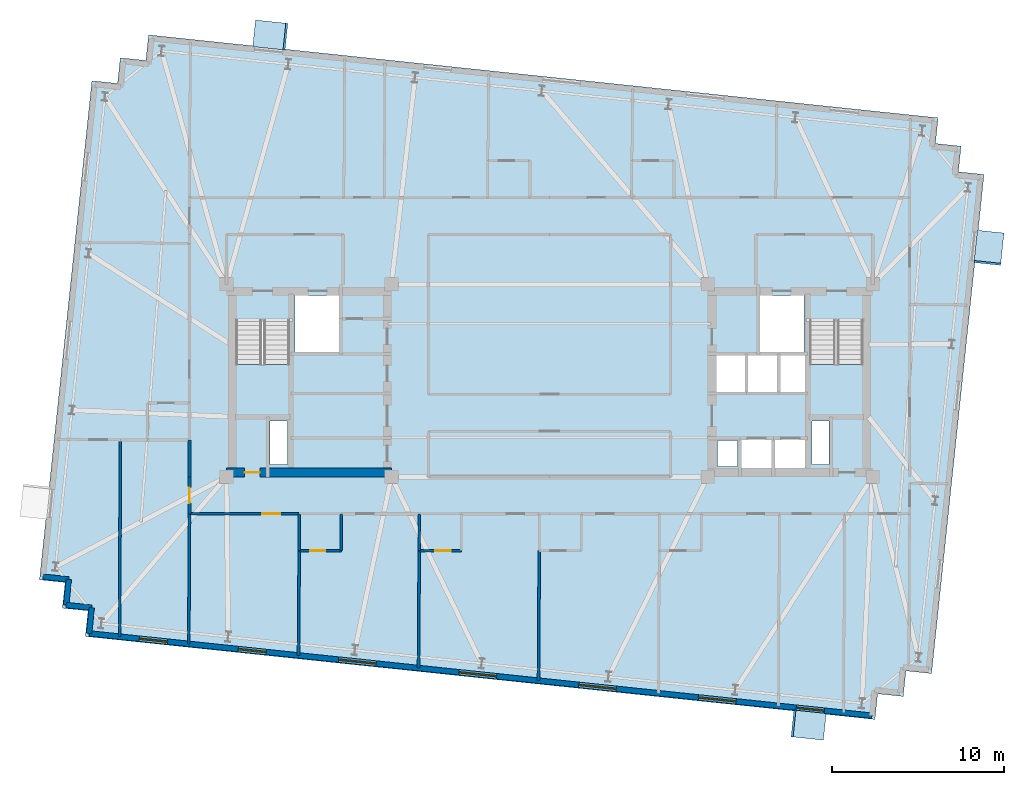
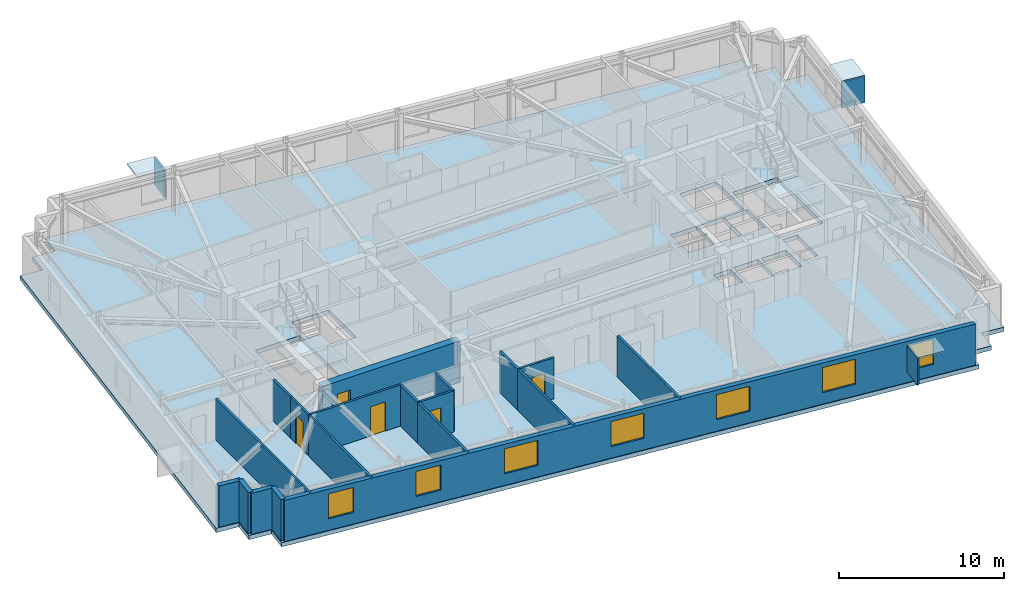
# One storey, part 5 of 11: 19 walls, 7 windows, 6 plates, 5 doors, 3 slabs, 12 openings, 2 elements without a shape of their own.
"""IFC4 building model written with IfcOpenShell, lengths in metres."""

from ifc_helpers import new_model, si_unit, direction, frame, frame_2d, origin, origin_2d, place, context, subcontext, project, spatial, polyline, rectangle, outline, extrude, material, layer, layer_set, type_object, element, fill, aggregate, save


model = new_model("IFC4")

# Units and contexts
model_context = context("Model", 3, precision=1e-05, world=origin(), true_north=direction((0.0, 1.0)))
body_context = subcontext(model_context, "Body", "Model", "MODEL_VIEW")
ifc_project = project(units=[si_unit("LENGTHUNIT", "METRE"), si_unit("AREAUNIT", "SQUARE_METRE"), si_unit("VOLUMEUNIT", "CUBIC_METRE"), si_unit("PLANEANGLEUNIT", "RADIAN"), si_unit("MASSUNIT", "GRAM", prefix="KILO")], contexts=[model_context])

# Site, building, storey
site_placement = place(None, origin())
site = spatial("IfcSite", under=ifc_project, at=site_placement, CompositionType="ELEMENT")
building_placement = place(site_placement, origin())
building = spatial("IfcBuilding", under=site, at=building_placement, Name="Qobustan Lattice House", CompositionType="ELEMENT")
storey_placement = place(building_placement, frame((0.0, 0.0, 209.800048828125)))
storey = spatial("IfcBuildingStorey", under=building, at=storey_placement, Name="L59", CompositionType="ELEMENT", Elevation=209.800048828125)

# Plates
ifc_material_1 = material(Name="Qobustan limestone GFRC", Category="masonry")
ifc_layer_1 = layer(ifc_material_1, 0.1201171875)
ifc_layer_set_1 = layer_set([ifc_layer_1], Name="Qobustan limestone GFRC")
plate_type = type_object("IfcPlateType", Name="SHD-HOOD-BROW", PredefinedType="USERDEFINED", material=ifc_layer_set_1)
plate_1_placement = place(storey_placement, frame((-16.25, 20.107666015625, 2.699951171875), z_axis=(0.0, 0.0, 1.0), x_axis=(0.994521895368, -0.104528463268, 0.0)))
element("IfcPlate", 1, at=plate_1_placement, inside=storey, type_object=plate_type, Name="L59 splayed Qobustan stone hood brow", ObjectType="SUNSHADE", PredefinedType="USERDEFINED", context=body_context, shape_type="SweptSolid", body=[
    extrude(rectangle(XDim=1.889892578125, YDim=1.56005859375, at=origin_2d()), origin(), (0.0, 0.0, 1.0), 0.1201171875),
])
plate_2_placement = place(storey_placement, frame((-15.369873046875, 20.01513671875, 0.7900390625), z_axis=(0.0, 0.0, 1.0), x_axis=(0.994521895368, -0.104528463268, 0.0)))
element("IfcPlate", 2, at=plate_2_placement, inside=storey, type_object=plate_type, Name="L59 splayed Qobustan stone hood cheek", ObjectType="SUNSHADE", PredefinedType="USERDEFINED", context=body_context, shape_type="SweptSolid", body=[
    extrude(rectangle(XDim=0.1201171875, YDim=1.56005859375, at=origin_2d()), origin(), (0.0, 0.0, 1.0), 1.969970703125),
])
plate_3_placement = place(storey_placement, frame((25.56884765625, 7.7275390625, 2.699951171875), z_axis=(0.0, 0.0, 1.0), x_axis=(-0.104528463268, -0.994521895368, 0.0)))
element("IfcPlate", 3, at=plate_3_placement, inside=storey, type_object=plate_type, Name="L59 splayed Qobustan stone hood brow", ObjectType="SUNSHADE", PredefinedType="USERDEFINED", context=body_context, shape_type="SweptSolid", body=[
    extrude(rectangle(XDim=1.889892578125, YDim=1.56005859375, at=origin_2d()), origin(), (0.0, 0.0, 1.0), 0.1201171875),
])
plate_4_placement = place(storey_placement, frame((25.476318359375, 6.847412109375, 0.7900390625), z_axis=(0.0, 0.0, 1.0), x_axis=(-0.104528463268, -0.994521895368, 0.0)))
element("IfcPlate", 4, at=plate_4_placement, inside=storey, type_object=plate_type, Name="L59 splayed Qobustan stone hood cheek", ObjectType="SUNSHADE", PredefinedType="USERDEFINED", context=body_context, shape_type="SweptSolid", body=[
    extrude(rectangle(XDim=0.1201171875, YDim=1.56005859375, at=origin_2d()), origin(), (0.0, 0.0, 1.0), 1.969970703125),
])
plate_5_placement = place(storey_placement, frame((15.0751953125, -20.046630859375, 2.699951171875), z_axis=(0.0, 0.0, 1.0), x_axis=(-0.994521895368, 0.104528463268, 0.0)))
element("IfcPlate", 5, at=plate_5_placement, inside=storey, type_object=plate_type, Name="L59 splayed Qobustan stone hood brow", ObjectType="SUNSHADE", PredefinedType="USERDEFINED", context=body_context, shape_type="SweptSolid", body=[
    extrude(rectangle(XDim=1.889892578125, YDim=1.56005859375, at=origin_2d()), origin(), (0.0, 0.0, 1.0), 0.1201171875),
])
plate_6_placement = place(storey_placement, frame((14.195068359375, -19.9541015625, 0.7900390625), z_axis=(0.0, 0.0, 1.0), x_axis=(-0.994521895368, 0.104528463268, 0.0)))
element("IfcPlate", 6, at=plate_6_placement, inside=storey, type_object=plate_type, Name="L59 splayed Qobustan stone hood cheek", ObjectType="SUNSHADE", PredefinedType="USERDEFINED", context=body_context, shape_type="SweptSolid", body=[
    extrude(rectangle(XDim=0.1201171875, YDim=1.56005859375, at=origin_2d()), origin(), (0.0, 0.0, 1.0), 1.969970703125),
])

# Slab
ifc_material_2 = material(Name="Concrete C40/50", Category="concrete")
ifc_layer_2 = layer(ifc_material_2, 0.31005859375)
ifc_layer_set_2 = layer_set([ifc_layer_2], Name="Concrete C40/50")
slab_type_1 = type_object("IfcSlabType", Name="SLB-FLR-310", PredefinedType="FLOOR", material=ifc_layer_set_2)
slab_1_placement = place(storey_placement, frame((0.0, 0.0, -0.31005859375)))
element("IfcSlab", 7, at=slab_1_placement, inside=storey, type_object=slab_type_1, Name="L59 structural floor slab", PredefinedType="FLOOR", context=body_context, shape_type="SweptSolid", body=[
    extrude(outline(polyline([(-27.01318359375, -14.888916015625), (18.933837890625, -19.71826171875), (19.090576171875, -18.226318359375), (20.582275390625, -18.38330078125), (20.739013671875, -16.891357421875), (22.23095703125, -17.048095703125), (25.283203125, 11.99169921875), (23.79150390625, 12.148681640625), (23.947998046875, 13.640380859375), (22.456298828125, 13.797119140625), (22.61328125, 15.2890625), (-23.333740234375, 20.1181640625), (-23.490478515625, 18.62646484375), (-24.982421875, 18.783203125), (-25.13916015625, 17.29150390625), (-26.630859375, 17.4482421875), (-29.68310546875, -11.591796875), (-28.19140625, -11.74853515625), (-28.34814453125, -13.240478515625), (-26.8564453125, -13.397216796875), (-27.01318359375, -14.888916015625)]), holes=[polyline([(-18.25, -2.050048828125), (-18.25, 3.489990234375), (-15.1298828125, 3.489990234375), (-15.1298828125, -2.050048828125), (-18.25, -2.050048828125)]), polyline([(15.1298828125, -2.050048828125), (15.1298828125, 3.489990234375), (18.25, 3.489990234375), (18.25, -2.050048828125), (15.1298828125, -2.050048828125)]), polyline([(-14.820068359375, 1.64990234375), (-14.820068359375, 4.9599609375), (-12.25, 4.9599609375), (-12.25, 1.64990234375), (-14.820068359375, 1.64990234375)]), polyline([(12.25, 1.64990234375), (12.25, 4.9599609375), (14.820068359375, 4.9599609375), (14.820068359375, 1.64990234375), (12.25, 1.64990234375)]), polyline([(-16.260009765625, -4.8798828125), (-16.260009765625, -2.360107421875), (-15.260009765625, -2.360107421875), (-15.260009765625, -4.8798828125), (-16.260009765625, -4.8798828125)]), polyline([(15.260009765625, -4.8798828125), (15.260009765625, -2.360107421875), (16.260009765625, -2.360107421875), (16.260009765625, -4.8798828125), (15.260009765625, -4.8798828125)]), polyline([(11.179931640625, -5.35009765625), (11.179931640625, -3.419921875), (12.919921875, -3.419921875), (12.919921875, -5.35009765625), (11.179931640625, -5.35009765625)]), polyline([(13.1201171875, -5.35009765625), (13.1201171875, -3.419921875), (14.85009765625, -3.419921875), (14.85009765625, -5.35009765625), (13.1201171875, -5.35009765625)]), polyline([(9.760009765625, -5.0), (9.760009765625, -3.47998046875), (10.93994140625, -3.47998046875), (10.93994140625, -5.0), (9.760009765625, -5.0)]), polyline([(13.360107421875, -0.679931640625), (13.360107421875, 1.47998046875), (14.97998046875, 1.47998046875), (14.97998046875, -0.679931640625), (13.360107421875, -0.679931640625)]), polyline([(9.6201171875, -0.679931640625), (9.6201171875, 1.47998046875), (11.43994140625, 1.47998046875), (11.43994140625, -0.679931640625), (9.6201171875, -0.679931640625)]), polyline([(11.5, -0.679931640625), (11.5, 1.47998046875), (13.320068359375, 1.47998046875), (13.320068359375, -0.679931640625), (11.5, -0.679931640625)])]), origin(), (0.0, 0.0, 1.0), 0.31005859375),
])

# Stair, slab
ifc_material_3 = material(Name="Concrete C40/50", Category="concrete")
stair_type = type_object("IfcStairType", Name="STR-CORE-DOGLEG", PredefinedType="HALF_TURN_STAIR", material=ifc_material_3)
stair_1_placement = place(storey_placement, origin())
stair_1 = element("IfcStair", 8, at=stair_1_placement, inside=storey, type_object=stair_type, Name="L59 West protected exit stair ST-W1", PredefinedType="HALF_TURN_STAIR")
ifc_material_4 = material(Name="Concrete C40/50", Category="concrete")
ifc_layer_3 = layer(ifc_material_4, 0.199951171875)
ifc_layer_set_3 = layer_set([ifc_layer_3], Name="Concrete C40/50")
slab_type_2 = type_object("IfcSlabType", Name="SLB-LANDING-200", PredefinedType="LANDING", material=ifc_layer_set_3)
slab_2_placement = place(storey_placement, frame((0.0, 0.0, 1.474853515625)))
slab_2 = element("IfcSlab", 9, at=slab_2_placement, type_object=slab_type_2, Name="ST-W1 landing 1", PredefinedType="LANDING", context=body_context, shape_type="SweptSolid", body=[
    extrude(outline(polyline([(-18.25, 0.93505859375), (-18.25, -2.050048828125), (-15.1298828125, -2.050048828125), (-15.1298828125, 0.93505859375), (-18.25, 0.93505859375)])), origin(), (0.0, 0.0, 1.0), 0.2001953125),
])
aggregate(stair_1, [slab_2])

stair_2_placement = place(storey_placement, origin())
stair_2 = element("IfcStair", 10, at=stair_2_placement, inside=storey, type_object=stair_type, Name="L59 East protected exit stair ST-E1", PredefinedType="HALF_TURN_STAIR")
slab_3_placement = place(storey_placement, frame((0.0, 0.0, 1.474853515625)))
slab_3 = element("IfcSlab", 11, at=slab_3_placement, type_object=slab_type_2, Name="ST-E1 landing 1", PredefinedType="LANDING", context=body_context, shape_type="SweptSolid", body=[
    extrude(outline(polyline([(15.1298828125, 0.93505859375), (15.1298828125, -2.050048828125), (18.25, -2.050048828125), (18.25, 0.93505859375), (15.1298828125, 0.93505859375)])), origin(), (0.0, 0.0, 1.0), 0.2001953125),
])
aggregate(stair_2, [slab_3])

# Wall, opening, door
ifc_material_5 = material(Name="Concrete C50/60", Category="concrete")
ifc_layer_4 = layer(ifc_material_5, 0.5)
ifc_layer_set_4 = layer_set([ifc_layer_4], Name="Concrete C50/60")
wall_type_1 = type_object("IfcWallType", Name="WAL-CORE-500", PredefinedType="SHEAR", material=ifc_layer_set_4)
wall_1_placement = place(storey_placement, frame((-18.800048828125, -5.35009765625, 0.0), z_axis=(0.0, 0.0, 1.0), x_axis=(1.0, 0.0, 0.0)))
wall_1 = element("IfcWall", 12, at=wall_1_placement, inside=storey, type_object=wall_type_1, Name="L59 split-core shear wall CW-S", PredefinedType="SHEAR", context=body_context, shape_type="SweptSolid", body=[
    extrude(rectangle(XDim=9.60009765625, YDim=0.5, at=frame_2d((4.800048828125, 0.0))), origin(), (0.0, 0.0, 1.0), 3.0400390625),
])
opening_1_placement = place(wall_1_placement, frame((1.050048828125, 0.0, 0.0)))
opening_1 = element("IfcOpeningElement", 13, at=opening_1_placement, cuts=wall_1, Name="Opening RD-01", PredefinedType="OPENING", context=body_context, shape_type="SweptSolid", body=[
    extrude(rectangle(XDim=0.89990234375, YDim=2.10009765625, at=frame_2d((0.449951171875, 1.050048828125))), frame((0.0, 0.260009765625, 0.0), z_axis=(0.0, -1.0, 0.0), x_axis=(1.0, 0.0, 0.0)), (0.0, 0.0, 1.0), 0.52001953125),
])
ifc_material_6 = material(Name="Persian walnut timber and steel frame door", Category="steel")
door_type_1 = type_object("IfcDoorType", Name="DOR-RISER-FD-900x2100", OperationType="NOTDEFINED", PredefinedType="DOOR", material=ifc_material_6)
door_1_placement = place(opening_1_placement, origin())
door_1 = element("IfcDoor", 14, at=door_1_placement, inside=storey, type_object=door_type_1, Name="L59 core service riser access door W", OperationType="SINGLE_SWING_RIGHT", OverallHeight=2.10009765625, OverallWidth=0.89990234375, PredefinedType="DOOR", context=body_context, shape_type="SweptSolid", body=[
    extrude(rectangle(XDim=0.89990234375, YDim=2.10009765625, at=frame_2d((0.449951171875, 1.050048828125))), frame((0.0, 0.02490234375, 0.0), z_axis=(0.0, -1.0, 0.0), x_axis=(1.0, 0.0, 0.0)), (0.0, 0.0, 1.0), 0.050048828125),
])
fill(opening_1, door_1)

# Walls
ifc_material_7 = material(Name="Precast concrete C40/50", Category="concrete")
ifc_layer_5 = layer(ifc_material_7, 0.320068359375)
ifc_layer_set_5 = layer_set([ifc_layer_5], Name="Precast concrete C40/50")
wall_type_2 = type_object("IfcWallType", Name="WAL-EXT-STONE-320", PredefinedType="SOLIDWALL", material=ifc_layer_set_5)
for number, where, z_axis, x_axis, name in (
    (15, (-26.79345703125, -14.7109375, 0.0), (0.0, 0.0, 1.0), (0.104498377516, 0.994525057048, 0.0), "L59 exterior limestone-clad wall 1"),
    (16, (-26.63671875, -13.21923828125, 0.0), (0.0, 0.0, 1.0), (-0.994525057048, 0.104498377516, 0.0), "L59 exterior limestone-clad wall 2"),
):
    element("IfcWall", number, at=place(storey_placement, frame(where, z_axis=z_axis, x_axis=x_axis)), inside=storey, type_object=wall_type_2, Name=name, PredefinedType="SOLIDWALL", context=body_context, shape_type="SweptSolid", body=[
        extrude(rectangle(XDim=1.5, YDim=0.320068359375, at=frame_2d((0.75, 0.0))), origin(), (0.0, 0.0, 1.0), 3.0400390625),
    ])
wall_2_placement = place(storey_placement, frame((-28.12841796875, -13.0625, 0.0), z_axis=(0.0, 0.0, 1.0), x_axis=(0.104481464157, 0.994526834051, 0.0)))
element("IfcWall", 17, at=wall_2_placement, inside=storey, type_object=wall_type_2, Name="L59 exterior limestone-clad wall 3", PredefinedType="SOLIDWALL", context=body_context, shape_type="SweptSolid", body=[
    extrude(rectangle(XDim=1.500244140625, YDim=0.320068359375, at=frame_2d((0.75, 0.0))), origin(), (0.0, 0.0, 1.0), 3.0400390625),
])
wall_3_placement = place(storey_placement, frame((-27.9716796875, -11.570556640625, 0.0), z_axis=(0.0, 0.0, 1.0), x_axis=(-0.994525057048, 0.104498377516, 0.0)))
element("IfcWall", 18, at=wall_3_placement, inside=storey, type_object=wall_type_2, Name="L59 exterior limestone-clad wall 4", PredefinedType="SOLIDWALL", context=body_context, shape_type="SweptSolid", body=[
    extrude(rectangle(XDim=1.5, YDim=0.320068359375, at=frame_2d((0.75, 0.0))), origin(), (0.0, 0.0, 1.0), 3.0400390625),
])

# Wall, openings, windows
wall_4_placement = place(storey_placement, frame((18.755859375, -19.498291015625, 0.0), z_axis=(0.0, 0.0, 1.0), x_axis=(-0.994522060044, 0.104526896475, 0.0)))
wall_4 = element("IfcWall", 19, at=wall_4_placement, inside=storey, type_object=wall_type_2, Name="L59 exterior limestone-clad wall 20", PredefinedType="SOLIDWALL", context=body_context, shape_type="SweptSolid", body=[
    extrude(rectangle(XDim=45.80029296875, YDim=0.320068359375, at=frame_2d((22.900146484375, 0.0))), origin(), (0.0, 0.0, 1.0), 3.0400390625),
])
opening_2_placement = place(wall_4_placement, frame((2.7783203125, 0.0, 0.85009765625)))
opening_2 = element("IfcOpeningElement", 20, at=opening_2_placement, cuts=wall_4, Name="Opening WN-09", PredefinedType="OPENING", context=body_context, shape_type="SweptSolid", body=[
    extrude(rectangle(XDim=1.64990234375, YDim=1.85009765625, at=frame_2d((0.824951171875, 0.925048828125))), frame((0.0, 0.169921875, 0.0), z_axis=(0.0, -1.0, 0.0), x_axis=(1.0, 0.0, 0.0)), (0.0, 0.0, 1.0), 0.340087890625),
])
opening_3_placement = place(wall_4_placement, frame((7.947998046875, 0.0, 0.85009765625)))
opening_3 = element("IfcOpeningElement", 21, at=opening_3_placement, cuts=wall_4, Name="Opening WN-03", PredefinedType="OPENING", context=body_context, shape_type="SweptSolid", body=[
    extrude(rectangle(XDim=2.199951171875, YDim=1.85009765625, at=frame_2d((1.10009765625, 0.925048828125))), frame((0.0, 0.169921875, 0.0), z_axis=(0.0, -1.0, 0.0), x_axis=(1.0, 0.0, 0.0)), (0.0, 0.0, 1.0), 0.340087890625),
])
opening_4_placement = place(wall_4_placement, frame((14.9541015625, 0.0, 0.85009765625)))
opening_4 = element("IfcOpeningElement", 22, at=opening_4_placement, cuts=wall_4, Name="Opening WN-03", PredefinedType="OPENING", context=body_context, shape_type="SweptSolid", body=[
    extrude(rectangle(XDim=2.199951171875, YDim=1.85009765625, at=frame_2d((1.10009765625, 0.925048828125))), frame((0.0, 0.169921875, 0.0), z_axis=(0.0, -1.0, 0.0), x_axis=(1.0, 0.0, 0.0)), (0.0, 0.0, 1.0), 0.340087890625),
])
opening_5_placement = place(wall_4_placement, frame((21.960205078125, 0.0, 0.85009765625)))
opening_5 = element("IfcOpeningElement", 23, at=opening_5_placement, cuts=wall_4, Name="Opening WN-03", PredefinedType="OPENING", context=body_context, shape_type="SweptSolid", body=[
    extrude(rectangle(XDim=2.199951171875, YDim=1.85009765625, at=frame_2d((1.10009765625, 0.925048828125))), frame((0.0, 0.169921875, 0.0), z_axis=(0.0, -1.0, 0.0), x_axis=(1.0, 0.0, 0.0)), (0.0, 0.0, 1.0), 0.340087890625),
])
opening_6_placement = place(wall_4_placement, frame((29.00634765625, 0.0, 0.85009765625)))
opening_6 = element("IfcOpeningElement", 24, at=opening_6_placement, cuts=wall_4, Name="Opening WN-03", PredefinedType="OPENING", context=body_context, shape_type="SweptSolid", body=[
    extrude(rectangle(XDim=2.199951171875, YDim=1.85009765625, at=frame_2d((1.10009765625, 0.925048828125))), frame((0.0, 0.169921875, 0.0), z_axis=(0.0, -1.0, 0.0), x_axis=(1.0, 0.0, 0.0)), (0.0, 0.0, 1.0), 0.340087890625),
])
opening_7_placement = place(wall_4_placement, frame((35.428955078125, 0.0, 0.85009765625)))
opening_7 = element("IfcOpeningElement", 25, at=opening_7_placement, cuts=wall_4, Name="Opening WN-09", PredefinedType="OPENING", context=body_context, shape_type="SweptSolid", body=[
    extrude(rectangle(XDim=1.64990234375, YDim=1.85009765625, at=frame_2d((0.824951171875, 0.925048828125))), frame((0.0, 0.169921875, 0.0), z_axis=(0.0, -1.0, 0.0), x_axis=(1.0, 0.0, 0.0)), (0.0, 0.0, 1.0), 0.340087890625),
])
opening_8_placement = place(wall_4_placement, frame((41.2119140625, 0.0, 0.85009765625)))
opening_8 = element("IfcOpeningElement", 26, at=opening_8_placement, cuts=wall_4, Name="Opening WN-09", PredefinedType="OPENING", context=body_context, shape_type="SweptSolid", body=[
    extrude(rectangle(XDim=1.64990234375, YDim=1.85009765625, at=frame_2d((0.824951171875, 0.925048828125))), frame((0.0, 0.169921875, 0.0), z_axis=(0.0, -1.0, 0.0), x_axis=(1.0, 0.0, 0.0)), (0.0, 0.0, 1.0), 0.340087890625),
])
ifc_material_8 = material(Name="Double-glazed low-E aluminium window", Category="aluminium")
window_type_1 = type_object("IfcWindowType", Name="WIN-STU-1650x1850", PartitioningType="SINGLE_PANEL", PredefinedType="WINDOW", material=ifc_material_8)
window_1_placement = place(opening_2_placement, origin())
window_1 = element("IfcWindow", 27, at=window_1_placement, inside=storey, type_object=window_type_1, Name="L59 Group study room window", OverallHeight=1.85009765625, OverallWidth=1.64990234375, PartitioningType="SINGLE_PANEL", PredefinedType="WINDOW", context=body_context, shape_type="SweptSolid", body=[
    extrude(rectangle(XDim=1.64990234375, YDim=1.85009765625, at=frame_2d((0.824951171875, 0.925048828125))), frame((0.0, 0.030029296875, 0.0), z_axis=(0.0, -1.0, 0.0), x_axis=(1.0, 0.0, 0.0)), (0.0, 0.0, 1.0), 0.06005859375),
])
fill(opening_2, window_1)
window_2_placement = place(opening_7_placement, origin())
window_2 = element("IfcWindow", 28, at=window_2_placement, inside=storey, type_object=window_type_1, Name="L59 Focus study room S1 window", OverallHeight=1.85009765625, OverallWidth=1.64990234375, PartitioningType="SINGLE_PANEL", PredefinedType="WINDOW", context=body_context, shape_type="SweptSolid", body=[
    extrude(rectangle(XDim=1.64990234375, YDim=1.85009765625, at=frame_2d((0.824951171875, 0.925048828125))), frame((0.0, 0.030029296875, 0.0), z_axis=(0.0, -1.0, 0.0), x_axis=(1.0, 0.0, 0.0)), (0.0, 0.0, 1.0), 0.06005859375),
])
fill(opening_7, window_2)
window_3_placement = place(opening_8_placement, origin())
window_3 = element("IfcWindow", 29, at=window_3_placement, inside=storey, type_object=window_type_1, Name="L59 Focus study room W1B window", OverallHeight=1.85009765625, OverallWidth=1.64990234375, PartitioningType="SINGLE_PANEL", PredefinedType="WINDOW", context=body_context, shape_type="SweptSolid", body=[
    extrude(rectangle(XDim=1.64990234375, YDim=1.85009765625, at=frame_2d((0.824951171875, 0.925048828125))), frame((0.0, 0.030029296875, 0.0), z_axis=(0.0, -1.0, 0.0), x_axis=(1.0, 0.0, 0.0)), (0.0, 0.0, 1.0), 0.06005859375),
])
fill(opening_8, window_3)
ifc_material_9 = material(Name="Double-glazed low-E aluminium window", Category="aluminium")
window_type_2 = type_object("IfcWindowType", Name="WIN-WIDE-2200x1850", PartitioningType="SINGLE_PANEL", PredefinedType="WINDOW", material=ifc_material_9)
window_4_placement = place(opening_3_placement, origin())
window_4 = element("IfcWindow", 30, at=window_4_placement, inside=storey, type_object=window_type_2, Name="L59 Kitchenette and studio apartment L59-S5 window", OverallHeight=1.85009765625, OverallWidth=2.199951171875, PartitioningType="SINGLE_PANEL", PredefinedType="WINDOW", context=body_context, shape_type="SweptSolid", body=[
    extrude(rectangle(XDim=2.199951171875, YDim=1.85009765625, at=frame_2d((1.10009765625, 0.925048828125))), frame((0.0, 0.030029296875, 0.0), z_axis=(0.0, -1.0, 0.0), x_axis=(1.0, 0.0, 0.0)), (0.0, 0.0, 1.0), 0.06005859375),
])
fill(opening_3, window_4)
window_5_placement = place(opening_4_placement, origin())
window_5 = element("IfcWindow", 31, at=window_5_placement, inside=storey, type_object=window_type_2, Name="L59 Kitchenette and studio apartment L59-S4 window", OverallHeight=1.85009765625, OverallWidth=2.199951171875, PartitioningType="SINGLE_PANEL", PredefinedType="WINDOW", context=body_context, shape_type="SweptSolid", body=[
    extrude(rectangle(XDim=2.199951171875, YDim=1.85009765625, at=frame_2d((1.10009765625, 0.925048828125))), frame((0.0, 0.030029296875, 0.0), z_axis=(0.0, -1.0, 0.0), x_axis=(1.0, 0.0, 0.0)), (0.0, 0.0, 1.0), 0.06005859375),
])
fill(opening_4, window_5)
window_6_placement = place(opening_5_placement, origin())
window_6 = element("IfcWindow", 32, at=window_6_placement, inside=storey, type_object=window_type_2, Name="L59 Kitchenette and studio apartment L59-S3 window", OverallHeight=1.85009765625, OverallWidth=2.199951171875, PartitioningType="SINGLE_PANEL", PredefinedType="WINDOW", context=body_context, shape_type="SweptSolid", body=[
    extrude(rectangle(XDim=2.199951171875, YDim=1.85009765625, at=frame_2d((1.10009765625, 0.925048828125))), frame((0.0, 0.030029296875, 0.0), z_axis=(0.0, -1.0, 0.0), x_axis=(1.0, 0.0, 0.0)), (0.0, 0.0, 1.0), 0.06005859375),
])
fill(opening_5, window_6)
window_7_placement = place(opening_6_placement, origin())
window_7 = element("IfcWindow", 33, at=window_7_placement, inside=storey, type_object=window_type_2, Name="L59 Kitchenette and studio apartment L59-S2 window", OverallHeight=1.85009765625, OverallWidth=2.199951171875, PartitioningType="SINGLE_PANEL", PredefinedType="WINDOW", context=body_context, shape_type="SweptSolid", body=[
    extrude(rectangle(XDim=2.199951171875, YDim=1.85009765625, at=frame_2d((1.10009765625, 0.925048828125))), frame((0.0, 0.030029296875, 0.0), z_axis=(0.0, -1.0, 0.0), x_axis=(1.0, 0.0, 0.0)), (0.0, 0.0, 1.0), 0.06005859375),
])
fill(opening_6, window_7)

# Wall, opening, door
ifc_material_10 = material(Name="Acoustic twin-stud gypsum partition", Category="gypsum")
ifc_layer_6 = layer(ifc_material_10, 0.14990234375)
ifc_layer_set_6 = layer_set([ifc_layer_6], Name="Acoustic twin-stud gypsum partition")
wall_type_3 = type_object("IfcWallType", Name="WAL-PART-150", PredefinedType="PARTITIONING", material=ifc_layer_set_6)
wall_5_placement = place(storey_placement, frame((-20.949951171875, -7.75, 0.0), z_axis=(0.0, 0.0, 1.0), x_axis=(0.0, 1.0, 0.0)))
wall_5 = element("IfcWall", 34, at=wall_5_placement, inside=storey, type_object=wall_type_3, Name="L59 interior partition 45", PredefinedType="PARTITIONING", context=body_context, shape_type="SweptSolid", body=[
    extrude(rectangle(XDim=2.14990234375, YDim=0.14990234375, at=frame_2d((1.074951171875, 0.0))), origin(), (0.0, 0.0, 1.0), 3.0400390625),
])
opening_9_placement = place(wall_5_placement, frame((0.625, 0.0, 0.0)))
opening_9 = element("IfcOpeningElement", 35, at=opening_9_placement, cuts=wall_5, Name="Opening WD-01", PredefinedType="OPENING", context=body_context, shape_type="SweptSolid", body=[
    extrude(rectangle(XDim=0.89990234375, YDim=2.10009765625, at=frame_2d((0.449951171875, 1.050048828125))), frame((0.0, 0.0849609375, 0.0), z_axis=(0.0, -1.0, 0.0), x_axis=(1.0, 0.0, 0.0)), (0.0, 0.0, 1.0), 0.169921875),
])
ifc_material_11 = material(Name="Persian walnut timber and steel frame door", Category="steel")
door_type_2 = type_object("IfcDoorType", Name="DOR-WET-900x2100", OperationType="NOTDEFINED", PredefinedType="DOOR", material=ifc_material_11)
door_2_placement = place(opening_9_placement, origin())
door_2 = element("IfcDoor", 36, at=door_2_placement, inside=storey, type_object=door_type_2, Name="L59 South-west floor corridor to Focus study room W1B door", OperationType="SINGLE_SWING_RIGHT", OverallHeight=2.10009765625, OverallWidth=0.89990234375, PredefinedType="DOOR", context=body_context, shape_type="SweptSolid", body=[
    extrude(rectangle(XDim=0.89990234375, YDim=2.10009765625, at=frame_2d((0.449951171875, 1.050048828125))), frame((0.0, 0.02490234375, 0.0), z_axis=(0.0, -1.0, 0.0), x_axis=(1.0, 0.0, 0.0)), (0.0, 0.0, 1.0), 0.050048828125),
])
fill(opening_9, door_2)

wall_6_placement = place(storey_placement, frame((-14.56689453125, -7.75, 0.0), z_axis=(0.0, 0.0, 1.0), x_axis=(-1.0, 0.0, 0.0)))
wall_6 = element("IfcWall", 37, at=wall_6_placement, inside=storey, type_object=wall_type_3, Name="L59 interior partition 46", PredefinedType="PARTITIONING", context=body_context, shape_type="SweptSolid", body=[
    extrude(rectangle(XDim=6.383056640625, YDim=0.14990234375, at=frame_2d((3.19140625, 0.0))), origin(), (0.0, 0.0, 1.0), 3.0400390625),
])
opening_10_placement = place(wall_6_placement, frame((1.1015625, 0.0, 0.0)))
opening_10 = element("IfcOpeningElement", 38, at=opening_10_placement, cuts=wall_6, Name="Opening ID-02", PredefinedType="OPENING", context=body_context, shape_type="SweptSolid", body=[
    extrude(rectangle(XDim=1.050048828125, YDim=2.14990234375, at=frame_2d((0.52490234375, 1.074951171875))), frame((0.0, 0.0849609375, 0.0), z_axis=(0.0, -1.0, 0.0), x_axis=(1.0, 0.0, 0.0)), (0.0, 0.0, 1.0), 0.169921875),
])
ifc_material_12 = material(Name="Persian walnut timber and steel frame door", Category="steel")
door_type_3 = type_object("IfcDoorType", Name="DOR-STUDY-1050x2150", OperationType="NOTDEFINED", PredefinedType="DOOR", material=ifc_material_12)
door_3_placement = place(opening_10_placement, origin())
door_3 = element("IfcDoor", 39, at=door_3_placement, inside=storey, type_object=door_type_3, Name="L59 South-west floor corridor to Focus study room S1 door", OperationType="SINGLE_SWING_LEFT", OverallHeight=2.14990234375, OverallWidth=1.050048828125, PredefinedType="DOOR", context=body_context, shape_type="SweptSolid", body=[
    extrude(rectangle(XDim=1.050048828125, YDim=2.14990234375, at=frame_2d((0.52490234375, 1.074951171875))), frame((0.0, 0.02490234375, 0.0), z_axis=(0.0, -1.0, 0.0), x_axis=(1.0, 0.0, 0.0)), (0.0, 0.0, 1.0), 0.050048828125),
])
fill(opening_10, door_3)

# Walls
wall_7_placement = place(storey_placement, frame((-20.949951171875, -5.60009765625, 0.0), z_axis=(0.0, 0.0, 1.0), x_axis=(0.0, 1.0, 0.0)))
element("IfcWall", 40, at=wall_7_placement, inside=storey, type_object=wall_type_3, Name="L59 interior partition 61", PredefinedType="PARTITIONING", context=body_context, shape_type="SweptSolid", body=[
    extrude(rectangle(XDim=2.14404296875, YDim=0.14990234375, at=frame_2d((1.072021484375, 0.0))), origin(), (0.0, 0.0, 1.0), 3.0400390625),
])
wall_8_placement = place(storey_placement, frame((-24.975830078125, -3.4560546875, 0.0), z_axis=(0.0, 0.0, 1.0), x_axis=(-0.003840873, -0.99999262382, 0.0)))
element("IfcWall", 41, at=wall_8_placement, inside=storey, type_object=wall_type_3, Name="L59 interior partition 73", PredefinedType="PARTITIONING", context=body_context, shape_type="SweptSolid", body=[
    extrude(rectangle(XDim=11.44140625, YDim=0.14990234375, at=frame_2d((5.720703125, 0.0))), origin(), (0.0, 0.0, 1.0), 3.0400390625),
])
wall_9_placement = place(storey_placement, frame((-20.949951171875, -7.75, 0.0), z_axis=(0.0, 0.0, 1.0), x_axis=(-0.005804668564, -0.99998315277, 0.0)))
element("IfcWall", 42, at=wall_9_placement, inside=storey, type_object=wall_type_3, Name="L59 interior partition 77", PredefinedType="PARTITIONING", context=body_context, shape_type="SweptSolid", body=[
    extrude(rectangle(XDim=7.57080078125, YDim=0.14990234375, at=frame_2d((3.785400390625, 0.0))), origin(), (0.0, 0.0, 1.0), 3.0400390625),
])
wall_10_placement = place(storey_placement, frame((-14.56689453125, -9.89990234375, 0.0), z_axis=(0.0, 0.0, 1.0), x_axis=(-0.007213951996, -0.99997397911, 0.0)))
element("IfcWall", 43, at=wall_10_placement, inside=storey, type_object=wall_type_3, Name="L59 interior partition 97", PredefinedType="PARTITIONING", context=body_context, shape_type="SweptSolid", body=[
    extrude(rectangle(XDim=6.091796875, YDim=0.14990234375, at=frame_2d((3.0458984375, 0.0))), origin(), (0.0, 0.0, 1.0), 3.0400390625),
])
wall_11_placement = place(storey_placement, frame((-7.5830078125, -9.89990234375, 0.0), z_axis=(0.0, 0.0, 1.0), x_axis=(-0.006438095341, -0.999979275249, 0.0)))
element("IfcWall", 44, at=wall_11_placement, inside=storey, type_object=wall_type_3, Name="L59 interior partition 101", PredefinedType="PARTITIONING", context=body_context, shape_type="SweptSolid", body=[
    extrude(rectangle(XDim=6.825927734375, YDim=0.14990234375, at=frame_2d((3.4130859375, 0.0))), origin(), (0.0, 0.0, 1.0), 3.0400390625),
])
wall_12_placement = place(storey_placement, frame((-0.60009765625, -9.89990234375, 0.0), z_axis=(0.0, 0.0, 1.0), x_axis=(-0.005780810266, -0.999983290977, 0.0)))
element("IfcWall", 45, at=wall_12_placement, inside=storey, type_object=wall_type_3, Name="L59 interior partition 105", PredefinedType="PARTITIONING", context=body_context, shape_type="SweptSolid", body=[
    extrude(rectangle(XDim=7.559814453125, YDim=0.14990234375, at=frame_2d((3.77978515625, 0.0))), origin(), (0.0, 0.0, 1.0), 3.0400390625),
])
ifc_material_13 = material(Name="Moisture-resistant acoustic plumbing wall", Category="gypsum")
ifc_layer_7 = layer(ifc_material_13, 0.14990234375)
ifc_layer_set_7 = layer_set([ifc_layer_7], Name="Moisture-resistant acoustic plumbing wall")
wall_type_4 = type_object("IfcWallType", Name="WAL-WET-150", PredefinedType="PLUMBINGWALL", material=ifc_layer_set_7)
wall_13_placement = place(storey_placement, frame((-14.56689453125, -7.75, 0.0), z_axis=(0.0, 0.0, 1.0), x_axis=(0.0, -1.0, 0.0)))
element("IfcWall", 46, at=wall_13_placement, inside=storey, type_object=wall_type_4, Name="L59 interior partition 98", PredefinedType="PLUMBINGWALL", context=body_context, shape_type="SweptSolid", body=[
    extrude(rectangle(XDim=2.14990234375, YDim=0.14990234375, at=frame_2d((1.074951171875, 0.0))), origin(), (0.0, 0.0, 1.0), 3.0400390625),
])

# Wall, opening, door
wall_14_placement = place(storey_placement, frame((-14.56689453125, -9.89990234375, 0.0), z_axis=(0.0, 0.0, 1.0), x_axis=(1.0, 0.0, 0.0)))
wall_14 = element("IfcWall", 47, at=wall_14_placement, inside=storey, type_object=wall_type_4, Name="L59 interior partition 99", PredefinedType="PLUMBINGWALL", context=body_context, shape_type="SweptSolid", body=[
    extrude(rectangle(XDim=2.449951171875, YDim=0.14990234375, at=frame_2d((1.22509765625, 0.0))), origin(), (0.0, 0.0, 1.0), 3.0400390625),
])
opening_11_placement = place(wall_14_placement, frame((0.628662109375, 0.0, 0.0)))
opening_11 = element("IfcOpeningElement", 48, at=opening_11_placement, cuts=wall_14, Name="Opening WD-01", PredefinedType="OPENING", context=body_context, shape_type="SweptSolid", body=[
    extrude(rectangle(XDim=0.89990234375, YDim=2.10009765625, at=frame_2d((0.449951171875, 1.050048828125))), frame((0.0, 0.0849609375, 0.0), z_axis=(0.0, -1.0, 0.0), x_axis=(1.0, 0.0, 0.0)), (0.0, 0.0, 1.0), 0.169921875),
])
door_4_placement = place(opening_11_placement, origin())
door_4 = element("IfcDoor", 49, at=door_4_placement, inside=storey, type_object=door_type_2, Name="L59 Kitchenette and studio apartment L59-S2 to En-suite bathroom L59-S2 door", OperationType="SINGLE_SWING_RIGHT", OverallHeight=2.10009765625, OverallWidth=0.89990234375, PredefinedType="DOOR", context=body_context, shape_type="SweptSolid", body=[
    extrude(rectangle(XDim=0.89990234375, YDim=2.10009765625, at=frame_2d((0.449951171875, 1.050048828125))), frame((0.0, 0.02490234375, 0.0), z_axis=(0.0, -1.0, 0.0), x_axis=(1.0, 0.0, 0.0)), (0.0, 0.0, 1.0), 0.050048828125),
])
fill(opening_11, door_4)

# Walls
for number, where, z_axis, x_axis, name in (
    (50, (-12.116943359375, -9.89990234375, 0.0), (0.0, 0.0, 1.0), (0.0, 1.0, 0.0), "L59 interior partition 100"),
    (51, (-7.5830078125, -7.75, 0.0), (0.0, 0.0, 1.0), (0.0, -1.0, 0.0), "L59 interior partition 102"),
):
    element("IfcWall", number, at=place(storey_placement, frame(where, z_axis=z_axis, x_axis=x_axis)), inside=storey, type_object=wall_type_4, Name=name, PredefinedType="PLUMBINGWALL", context=body_context, shape_type="SweptSolid", body=[
        extrude(rectangle(XDim=2.14990234375, YDim=0.14990234375, at=frame_2d((1.074951171875, 0.0))), origin(), (0.0, 0.0, 1.0), 3.0400390625),
    ])

# Wall, opening, door
wall_15_placement = place(storey_placement, frame((-7.5830078125, -9.89990234375, 0.0), z_axis=(0.0, 0.0, 1.0), x_axis=(1.0, 0.0, 0.0)))
wall_15 = element("IfcWall", 52, at=wall_15_placement, inside=storey, type_object=wall_type_4, Name="L59 interior partition 103", PredefinedType="PLUMBINGWALL", context=body_context, shape_type="SweptSolid", body=[
    extrude(rectangle(XDim=2.449951171875, YDim=0.14990234375, at=frame_2d((1.22509765625, 0.0))), origin(), (0.0, 0.0, 1.0), 3.0400390625),
])
opening_12_placement = place(wall_15_placement, frame((0.92138671875, 0.0, 0.0)))
opening_12 = element("IfcOpeningElement", 53, at=opening_12_placement, cuts=wall_15, Name="Opening WD-01", PredefinedType="OPENING", context=body_context, shape_type="SweptSolid", body=[
    extrude(rectangle(XDim=0.89990234375, YDim=2.10009765625, at=frame_2d((0.449951171875, 1.050048828125))), frame((0.0, 0.0849609375, 0.0), z_axis=(0.0, -1.0, 0.0), x_axis=(1.0, 0.0, 0.0)), (0.0, 0.0, 1.0), 0.169921875),
])
door_5_placement = place(opening_12_placement, origin())
door_5 = element("IfcDoor", 54, at=door_5_placement, inside=storey, type_object=door_type_2, Name="L59 Kitchenette and studio apartment L59-S3 to En-suite bathroom L59-S3 door", OperationType="SINGLE_SWING_LEFT", OverallHeight=2.10009765625, OverallWidth=0.89990234375, PredefinedType="DOOR", context=body_context, shape_type="SweptSolid", body=[
    extrude(rectangle(XDim=0.89990234375, YDim=2.10009765625, at=frame_2d((0.449951171875, 1.050048828125))), frame((0.0, 0.02490234375, 0.0), z_axis=(0.0, -1.0, 0.0), x_axis=(1.0, 0.0, 0.0)), (0.0, 0.0, 1.0), 0.050048828125),
])
fill(opening_12, door_5)

save(model, "model.ifc")
